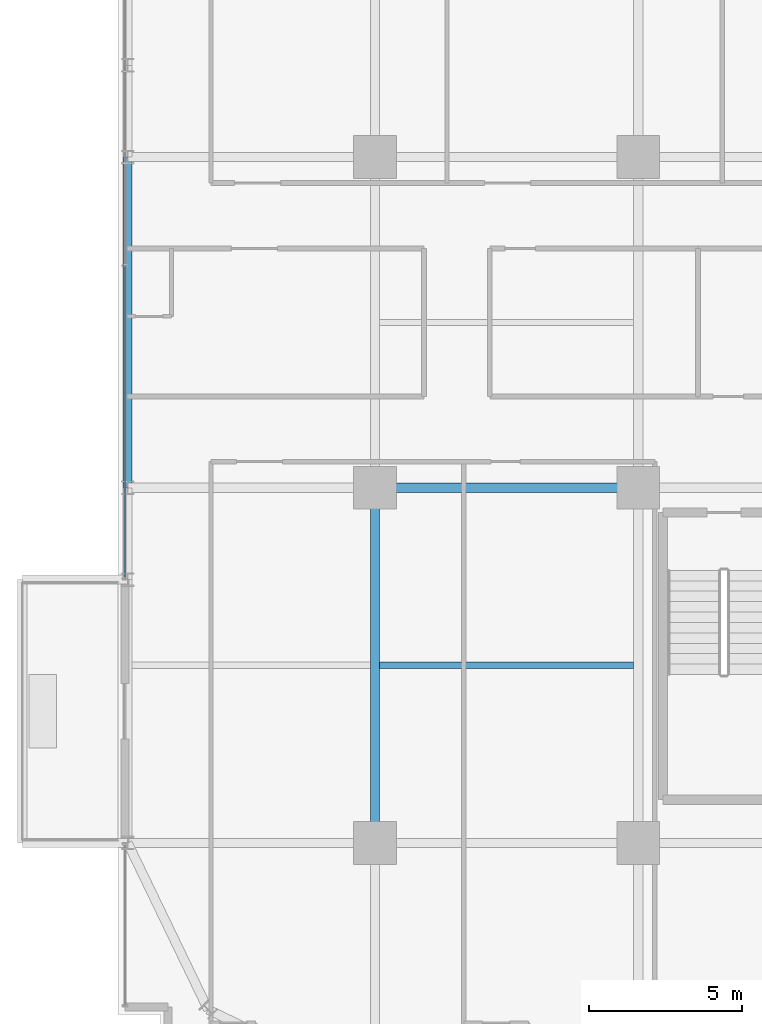
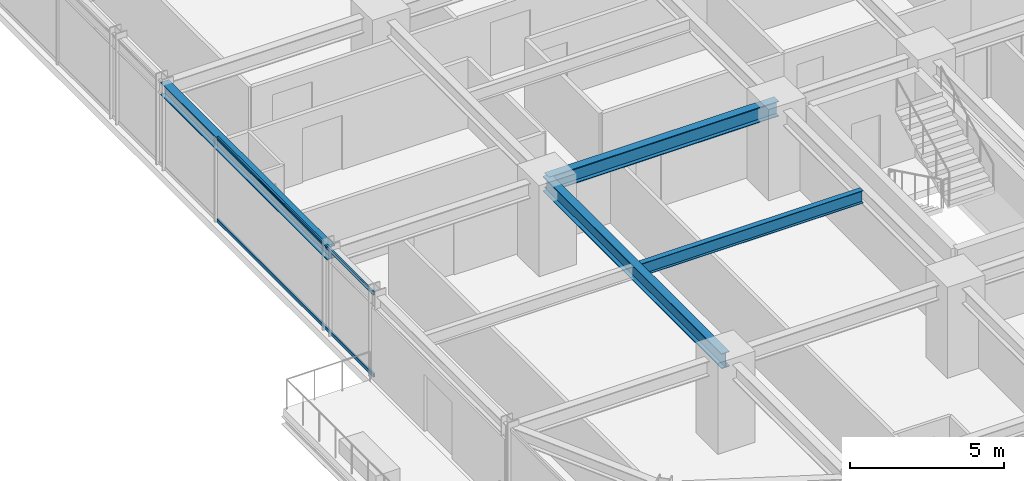
# One storey, part 9 of 37: 4 beams, 2 members, 1 element without a shape of its own.
"""IFC4 building model written with IfcOpenShell, lengths in metres."""

from ifc_helpers import new_model, si_unit, direction, frame, origin, origin_2d, place, context, subcontext, project, spatial, hollow_rectangle, i_section, extrude, source, transform, mapped, material, material_profile, profile_set, type_object, element, aggregate, save


model = new_model("IFC4")

# Units and contexts
model_context = context("Model", 3, precision=1e-05, world=origin(), true_north=direction((0.0, 1.0)))
body_context = subcontext(model_context, "Body", "Model", "MODEL_VIEW")
ifc_project = project(units=[si_unit("LENGTHUNIT", "METRE"), si_unit("AREAUNIT", "SQUARE_METRE"), si_unit("VOLUMEUNIT", "CUBIC_METRE"), si_unit("PLANEANGLEUNIT", "RADIAN"), si_unit("MASSUNIT", "GRAM", prefix="KILO")], contexts=[model_context])

# Site, building, storey
site_placement = place(None, origin())
site = spatial("IfcSite", under=ifc_project, at=site_placement, CompositionType="ELEMENT")
building_placement = place(site_placement, origin())
building = spatial("IfcBuilding", under=site, at=building_placement, Name="Nahalor Promenade Grand Hotel", CompositionType="ELEMENT")
storey_placement = place(building_placement, frame((0.0, 0.0, 36.050048828125)))
storey = spatial("IfcBuildingStorey", under=building, at=storey_placement, Name="L07", CompositionType="ELEMENT", Elevation=36.050048828125)

# Beams
ifc_material_1 = material(Name="Steel S355JR", Category="steel")
ifc_material_profile_1 = material_profile(ifc_material_1, i_section(OverallWidth=0.3, OverallDepth=0.6, WebThickness=0.0155, FlangeThickness=0.03, at=origin_2d()), Name="HEB 600")
ifc_profile_set_1 = profile_set([ifc_material_profile_1], Name="Steel S355JR")
beam_type_1 = type_object("IfcBeamType", Name="Beam-Girder-HEB600", PredefinedType="BEAM", material=ifc_profile_set_1)
shared_shape_1 = source(origin(), body_context, "Body", "SweptSolid", [
    extrude(i_section(OverallWidth=0.3, OverallDepth=0.6, WebThickness=0.0155, FlangeThickness=0.03, at=origin_2d()), origin(), (0.0, 0.0, 1.0), 8.60009765625),
])
beam_1_placement = place(storey_placement, frame((-17.0, -5.39990234375, 3.070068359375), z_axis=(1.0, 0.0, 0.0), x_axis=(0.0, 1.0, 0.0)))
element("IfcBeam", 1, at=beam_1_placement, inside=storey, type_object=beam_type_1, Name="BM-L07-GX-1-1", PredefinedType="BEAM", context=body_context, shape_type="MappedRepresentation", body=[
    mapped(shared_shape_1, transform((0.0, 0.0, 0.0), scale=1.0)),
])
shared_shape_2 = source(origin(), body_context, "Body", "SweptSolid", [
    extrude(i_section(OverallWidth=0.3, OverallDepth=0.6, WebThickness=0.0155, FlangeThickness=0.03, at=origin_2d()), origin(), (0.0, 0.0, 1.0), 11.60009765625),
])
beam_2_placement = place(storey_placement, frame((-17.0, -17.0, 3.070068359375), z_axis=(0.0, 1.0, 0.0), x_axis=(-1.0, 0.0, 0.0)))
element("IfcBeam", 2, at=beam_2_placement, inside=storey, type_object=beam_type_1, Name="BM-L07-GY-0-1", PredefinedType="BEAM", context=body_context, shape_type="MappedRepresentation", body=[
    mapped(shared_shape_2, transform((0.0, 0.0, 0.0), scale=1.0)),
])
ifc_material_profile_2 = material_profile(ifc_material_1, i_section(OverallWidth=0.3, OverallDepth=0.5, WebThickness=0.0145, FlangeThickness=0.028, at=origin_2d()), Name="HEB 500")
ifc_profile_set_2 = profile_set([ifc_material_profile_2], Name="Steel S355JR")
beam_type_2 = type_object("IfcBeamType", Name="Beam-Spandrel-HEB500", PredefinedType="SPANDREL", material=ifc_profile_set_2)
shared_shape_3 = source(origin(), body_context, "Body", "SweptSolid", [
    extrude(i_section(OverallWidth=0.3, OverallDepth=0.5, WebThickness=0.0145, FlangeThickness=0.028, at=origin_2d()), origin(), (0.0, 0.0, 1.0), 10.7998046875),
])
beam_3_placement = place(storey_placement, frame((-25.080078125, -5.39990234375, 3.119873046875), z_axis=(0.0, 1.0, 0.0), x_axis=(-1.0, 0.0, 0.0)))
element("IfcBeam", 3, at=beam_3_placement, inside=storey, type_object=beam_type_2, Name="BM-L07-SP-W-2", PredefinedType="SPANDREL", context=body_context, shape_type="MappedRepresentation", body=[
    mapped(shared_shape_3, transform((0.0, 0.0, 0.0), scale=1.0)),
])
ifc_material_profile_3 = material_profile(ifc_material_1, i_section(OverallWidth=0.2, OverallDepth=0.5, WebThickness=0.0102, FlangeThickness=0.016, at=origin_2d()), Name="IPE 500")
ifc_profile_set_3 = profile_set([ifc_material_profile_3], Name="Steel S355JR")
beam_type_3 = type_object("IfcBeamType", Name="Beam-Joist-IPE500", PredefinedType="JOIST", material=ifc_profile_set_3)
shared_shape_4 = source(origin(), body_context, "Body", "SweptSolid", [
    extrude(i_section(OverallWidth=0.2, OverallDepth=0.5, WebThickness=0.0102, FlangeThickness=0.016, at=origin_2d()), origin(), (0.0, 0.0, 1.0), 8.300048828125),
])
beam_4_placement = place(storey_placement, frame((-16.85009765625, -11.199951171875, 3.119873046875), z_axis=(1.0, 0.0, 0.0), x_axis=(0.0, 1.0, 0.0)))
element("IfcBeam", 4, at=beam_4_placement, inside=storey, type_object=beam_type_3, Name="BM-L07-JSW-0-1", PredefinedType="JOIST", context=body_context, shape_type="MappedRepresentation", body=[
    mapped(shared_shape_4, transform((0.0, 0.0, 0.0), scale=1.0)),
])

# Curtain wall, members
ifc_material_2 = material(Name="Anodised Bronze Aluminium EN AW-6063 T6", Category="aluminium")
curtain_wall_type = type_object("IfcCurtainWallType", Name="CW2 Typical Hotel Flush Bronze Unitised Curtain Wall", PredefinedType="USERDEFINED", material=ifc_material_2)
curtain_wall_placement = place(storey_placement, origin())
curtain_wall = element("IfcCurtainWall", 5, at=curtain_wall_placement, inside=storey, type_object=curtain_wall_type, Name="L07 Curtain Wall CW-L07-W-3", ObjectType="UNITISED_CURTAIN_WALL", PredefinedType="USERDEFINED")
ifc_material_profile_4 = material_profile(ifc_material_2, hollow_rectangle(XDim=0.065, YDim=0.13, WallThickness=0.004, at=origin_2d()), Name="CWT 65x130x4")
ifc_profile_set_4 = profile_set([ifc_material_profile_4], Name="Anodised Bronze Aluminium EN AW-6063 T6")
member_type = type_object("IfcMemberType", Name="CWT2 Typical Bronze Transom 65x130", PredefinedType="USERDEFINED", material=ifc_profile_set_4)
shared_shape_5 = source(origin(), body_context, "Body", "SweptSolid", [
    extrude(hollow_rectangle(XDim=0.065, YDim=0.13, WallThickness=0.004, at=origin_2d()), origin(), (0.0, 0.0, 1.0), 10.15576171875),
])
member_1_placement = place(storey_placement, frame((-25.159912109375, -8.3349609375, 0.06494140625), z_axis=(0.0, 1.0, 0.0), x_axis=(-1.0, 0.0, 0.0)))
member_1 = element("IfcMember", 6, at=member_1_placement, type_object=member_type, Name="CW-L07-W-3 Transom 0-0", ObjectType="TRANSOM", PredefinedType="USERDEFINED", context=body_context, shape_type="MappedRepresentation", body=[
    mapped(shared_shape_5, transform((0.0, 0.0, 0.0), scale=1.0)),
])
member_2_placement = place(storey_placement, frame((-25.159912109375, -8.3349609375, 3.304931640625), z_axis=(0.0, 1.0, 0.0), x_axis=(-1.0, 0.0, 0.0)))
member_2 = element("IfcMember", 7, at=member_2_placement, type_object=member_type, Name="CW-L07-W-3 Transom 0-1", ObjectType="TRANSOM", PredefinedType="USERDEFINED", context=body_context, shape_type="MappedRepresentation", body=[
    mapped(shared_shape_5, transform((0.0, 0.0, 0.0), scale=1.0)),
])
aggregate(curtain_wall, [member_1, member_2])

save(model, "model.ifc")
